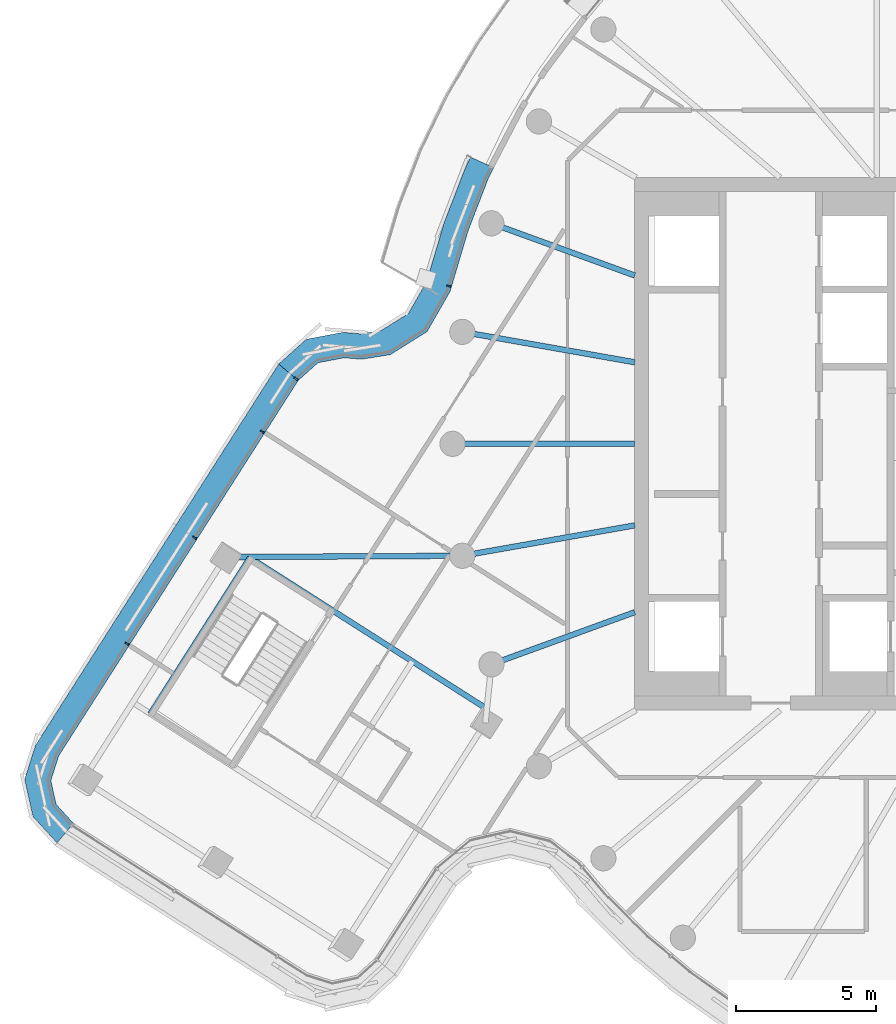
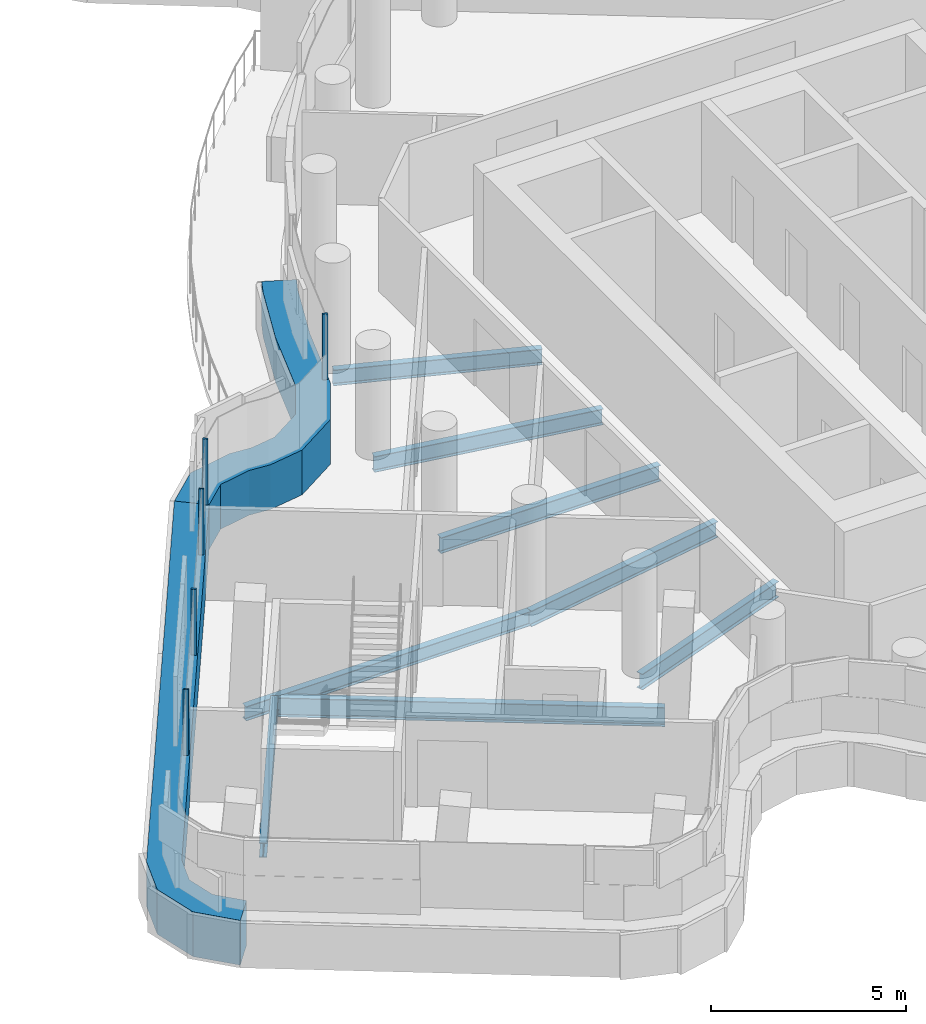
# One storey, part 4 of 27: 8 beams, 7 members, 2 elements without a shape of their own.
"""IFC4 building model written with IfcOpenShell, lengths in metres."""

from ifc_helpers import new_model, si_unit, direction, frame, origin, origin_2d, place, context, subcontext, project, spatial, polyline, rectangle, i_section, outline, extrude, material, layer, layer_set, material_profile, profile_set, type_object, element, aggregate, save


model = new_model("IFC4")

# Units and contexts
model_context = context("Model", 3, precision=1e-05, world=origin(), true_north=direction((0.0, 1.0)))
body_context = subcontext(model_context, "Body", "Model", "MODEL_VIEW")
ifc_project = project(units=[si_unit("LENGTHUNIT", "METRE"), si_unit("AREAUNIT", "SQUARE_METRE"), si_unit("VOLUMEUNIT", "CUBIC_METRE"), si_unit("PLANEANGLEUNIT", "RADIAN"), si_unit("MASSUNIT", "GRAM", prefix="KILO")], contexts=[model_context])

# Site, building, storey
site_placement = place(None, origin())
site = spatial("IfcSite", under=ifc_project, at=site_placement, CompositionType="ELEMENT")
building_placement = place(site_placement, origin())
building = spatial("IfcBuilding", under=site, at=building_placement, Name="Tamarind Cross Interchange Tower", CompositionType="ELEMENT")
storey_placement = place(building_placement, frame((0.0, 0.0, 241.5)))
storey = spatial("IfcBuildingStorey", under=building, at=storey_placement, Name="L61", CompositionType="ELEMENT", Elevation=241.5)

# Beams
ifc_material_1 = material(Name="Steel Q355B", Category="steel")
ifc_material_profile_1 = material_profile(ifc_material_1, i_section(OverallWidth=0.198974609375, OverallDepth=0.446044921875, WebThickness=0.008056640625, FlangeThickness=0.011962890625, FilletRadius=0.012939453125, at=origin_2d()), Name="HN 446x199x8x12")
ifc_profile_set_1 = profile_set([ifc_material_profile_1], Name="Steel Q355B")
beam_type_1 = type_object("IfcBeamType", Name="Composite beam HN 446x199x8x12 Q355B", PredefinedType="BEAM", material=ifc_profile_set_1)
beam_1_placement = place(storey_placement, frame((-31.100830078125, -4.039306640625, -0.363037109375), z_axis=(0.999985561134, 0.005373781185, 0.0), x_axis=(-0.005373781185, 0.999985561134, 0.0)))
element("IfcBeam", 1, at=beam_1_placement, inside=storey, type_object=beam_type_1, Name="Beam W-linkem", PredefinedType="BEAM", context=body_context, shape_type="SweptSolid", body=[
    extrude(i_section(OverallWidth=0.198974609375, OverallDepth=0.446044921875, WebThickness=0.008056640625, FlangeThickness=0.011962890625, FilletRadius=0.012939453125, at=origin_2d()), origin(), (0.0, 0.0, 1.0), 8.4501953125),
])
beam_2_placement = place(storey_placement, frame((-30.2265625, -4.063232421875, -0.363037109375), z_axis=(-0.537813428243, -0.843063886311, 0.0), x_axis=(0.843063886311, -0.537813428243, 0.0)))
element("IfcBeam", 2, at=beam_2_placement, inside=storey, type_object=beam_type_1, Name="Beam W-tr0", PredefinedType="BEAM", context=body_context, shape_type="SweptSolid", body=[
    extrude(i_section(OverallWidth=0.198974609375, OverallDepth=0.446044921875, WebThickness=0.008056640625, FlangeThickness=0.011962890625, FilletRadius=0.012939453125, at=origin_2d()), origin(), (0.0, 0.0, 1.0), 6.60009765625),
])
ifc_material_profile_2 = material_profile(ifc_material_1, i_section(OverallWidth=0.198974609375, OverallDepth=0.49609375, WebThickness=0.009033203125, FlangeThickness=0.013916015625, FilletRadius=0.012939453125, at=origin_2d()), Name="HN 496x199x9x14")
ifc_profile_set_2 = profile_set([ifc_material_profile_2], Name="Steel Q355B")
beam_type_2 = type_object("IfcBeamType", Name="Composite beam HN 496x199x9x14 Q355B", PredefinedType="BEAM", material=ifc_profile_set_2)
beam_3_placement = place(storey_placement, frame((-21.613037109375, 7.866455078125, -0.387939453125), z_axis=(0.939701685589, -0.341995236956, 0.0), x_axis=(0.341995236956, 0.939701685589, 0.0)))
element("IfcBeam", 3, at=beam_3_placement, inside=storey, type_object=beam_type_2, Name="Beam HH16", PredefinedType="BEAM", context=body_context, shape_type="SweptSolid", body=[
    extrude(i_section(OverallWidth=0.198974609375, OverallDepth=0.49609375, WebThickness=0.009033203125, FlangeThickness=0.013916015625, FilletRadius=0.012939453125, at=origin_2d()), origin(), (0.0, 0.0, 1.0), 5.441162109375),
])
beam_4_placement = place(storey_placement, frame((-22.650634765625, 3.993896484375, -0.387939453125), z_axis=(0.984809127561, -0.173640382036, 0.0), x_axis=(0.173640382036, 0.984809127561, 0.0)))
element("IfcBeam", 4, at=beam_4_placement, inside=storey, type_object=beam_type_2, Name="Beam HH17", PredefinedType="BEAM", context=body_context, shape_type="SweptSolid", body=[
    extrude(i_section(OverallWidth=0.198974609375, OverallDepth=0.49609375, WebThickness=0.009033203125, FlangeThickness=0.013916015625, FilletRadius=0.012939453125, at=origin_2d()), origin(), (0.0, 0.0, 1.0), 6.24560546875),
])
beam_5_placement = place(storey_placement, frame((-23.0, 0.0, -0.387939453125), z_axis=(1.0, 0.0, 0.0), x_axis=(0.0, 1.0, 0.0)))
element("IfcBeam", 5, at=beam_5_placement, inside=storey, type_object=beam_type_2, Name="Beam HH18", PredefinedType="BEAM", context=body_context, shape_type="SweptSolid", body=[
    extrude(i_section(OverallWidth=0.198974609375, OverallDepth=0.49609375, WebThickness=0.009033203125, FlangeThickness=0.013916015625, FilletRadius=0.012939453125, at=origin_2d()), origin(), (0.0, 0.0, 1.0), 6.5),
])
beam_6_placement = place(storey_placement, frame((-22.650634765625, -3.993896484375, -0.387939453125), z_axis=(0.984809127561, 0.173640382036, 0.0), x_axis=(-0.173640382036, 0.984809127561, 0.0)))
element("IfcBeam", 6, at=beam_6_placement, inside=storey, type_object=beam_type_2, Name="Beam HH19", PredefinedType="BEAM", context=body_context, shape_type="SweptSolid", body=[
    extrude(i_section(OverallWidth=0.198974609375, OverallDepth=0.49609375, WebThickness=0.009033203125, FlangeThickness=0.013916015625, FilletRadius=0.012939453125, at=origin_2d()), origin(), (0.0, 0.0, 1.0), 6.24560546875),
])
beam_7_placement = place(storey_placement, frame((-21.613037109375, -7.866455078125, -0.387939453125), z_axis=(0.939701685589, 0.341995236956, 0.0), x_axis=(-0.341995236956, 0.939701685589, 0.0)))
element("IfcBeam", 7, at=beam_7_placement, inside=storey, type_object=beam_type_2, Name="Beam HH20", PredefinedType="BEAM", context=body_context, shape_type="SweptSolid", body=[
    extrude(i_section(OverallWidth=0.198974609375, OverallDepth=0.49609375, WebThickness=0.009033203125, FlangeThickness=0.013916015625, FilletRadius=0.012939453125, at=origin_2d()), origin(), (0.0, 0.0, 1.0), 5.441162109375),
])
ifc_material_profile_3 = material_profile(ifc_material_1, i_section(OverallWidth=0.198974609375, OverallDepth=0.595947265625, WebThickness=0.010009765625, FlangeThickness=0.014892578125, FilletRadius=0.012939453125, at=origin_2d()), Name="HN 596x199x10x15")
ifc_profile_set_3 = profile_set([ifc_material_profile_3], Name="Steel Q355B")
beam_type_3 = type_object("IfcBeamType", Name="Composite beam HN 596x199x10x15 Q355B", PredefinedType="BEAM", material=ifc_profile_set_3)
beam_8_placement = place(storey_placement, frame((-30.27099609375, -4.034912109375, -0.43798828125), z_axis=(0.843056379405, -0.537825195713, 0.0), x_axis=(0.537825195713, 0.843056379405, 0.0)))
element("IfcBeam", 8, at=beam_8_placement, inside=storey, type_object=beam_type_3, Name="Beam W-x298", PredefinedType="BEAM", context=body_context, shape_type="SweptSolid", body=[
    extrude(i_section(OverallWidth=0.198974609375, OverallDepth=0.595947265625, WebThickness=0.010009765625, FlangeThickness=0.014892578125, FilletRadius=0.012939453125, at=origin_2d()), origin(), (0.0, 0.0, 1.0), 10.07666015625),
])

# Curtain wall, member
ifc_material_2 = material(Name="Aluminium 6063-T6", Category="aluminium")
ifc_layer = layer(ifc_material_2, 0.139892578125)
ifc_layer_set = layer_set([ifc_layer], Name="Aluminium 6063-T6")
curtain_wall_type = type_object("IfcCurtainWallType", Name="Hotel curtain wall, 4.5 m bays", PredefinedType="NOTDEFINED", material=ifc_layer_set)
curtain_wall_1_placement = place(storey_placement, origin())
curtain_wall_1 = element("IfcCurtainWall", 9, at=curtain_wall_1_placement, inside=storey, type_object=curtain_wall_type, Name="CWS-L61-06", PredefinedType="NOTDEFINED")
ifc_material_3 = material(Name="Aluminium and insulated spandrel panel", Category="aluminium")
member_type_1 = type_object("IfcMemberType", Name="Floor-edge blade transom", PredefinedType="USERDEFINED", material=ifc_material_3)
member_1_placement = place(storey_placement, origin())
member_1 = element("IfcMember", 10, at=member_1_placement, type_object=member_type_1, Name="CWT-L61-06-1", ObjectType="TRANSOM", PredefinedType="USERDEFINED", context=body_context, shape_type="SweptSolid", body=[
    extrude(outline(polyline([(-21.533935546875, 9.8525390625), (-21.74072265625, 9.425048828125), (-22.44482421875, 7.596923828125), (-23.090087890625, 5.427001953125), (-23.908935546875, 4.00244140625), (-25.220703125, 3.1806640625), (-26.255126953125, 3.017333984375), (-26.8662109375, 3.0693359375), (-27.79931640625, 2.892578125), (-28.50634765625, 2.258544921875), (-29.198974609375, 2.846435546875), (-28.21337890625, 3.730224609375), (-26.91259765625, 3.9765625), (-26.28759765625, 3.92333984375), (-25.542724609375, 4.041015625), (-24.5771484375, 4.645751953125), (-23.9228515625, 5.7841796875), (-23.297607421875, 7.887451171875), (-22.567138671875, 9.783203125), (-22.3525390625, 10.22705078125), (-21.533935546875, 9.8525390625)])), origin(), (0.0, 0.0, 1.0), 1.39990234375),
])

curtain_wall_2_placement = place(storey_placement, origin())
curtain_wall_2 = element("IfcCurtainWall", 11, at=curtain_wall_2_placement, inside=storey, type_object=curtain_wall_type, Name="CWS-L61-07", PredefinedType="NOTDEFINED")
member_2_placement = place(storey_placement, origin())
member_2 = element("IfcMember", 12, at=member_2_placement, type_object=member_type_1, Name="CWT-L61-07", ObjectType="TRANSOM", PredefinedType="USERDEFINED", context=body_context, shape_type="SweptSolid", body=[
    extrude(outline(polyline([(-28.50634765625, 2.258544921875), (-37.05224609375, -11.13720703125), (-37.328125, -12.010009765625), (-37.139404296875, -12.864013671875), (-36.521484375, -13.539306640625), (-37.10546875, -14.234375), (-37.966064453125, -13.293701171875), (-38.259033203125, -11.968994140625), (-37.874755859375, -10.753173828125), (-29.198974609375, 2.846435546875), (-28.50634765625, 2.258544921875)])), origin(), (0.0, 0.0, 1.0), 1.39990234375),
])

# Member
ifc_material_profile_4 = material_profile(ifc_material_2, rectangle(XDim=0.06005859375, YDim=0.139892578125, at=origin_2d()), Name="Mullion CW2")
ifc_profile_set_4 = profile_set([ifc_material_profile_4], Name="Aluminium 6063-T6")
member_type_2 = type_object("IfcMemberType", Name="Mullion CW2", PredefinedType="MULLION", material=ifc_profile_set_4)
member_3_placement = place(storey_placement, frame((-23.1337890625, 5.630859375, 1.39990234375), z_axis=(0.0, 0.0, 1.0), x_axis=(-0.284974746504, -0.958535024845, 0.0)))
member_3 = element("IfcMember", 13, at=member_3_placement, type_object=member_type_2, Name="CWM-L61-06-04", PredefinedType="MULLION", context=body_context, shape_type="SweptSolid", body=[
    extrude(rectangle(XDim=0.06005859375, YDim=0.139892578125, at=origin_2d()), origin(), (0.0, 0.0, 1.0), 2.06005859375),
])

aggregate(curtain_wall_1, [member_3, member_1])

member_4_placement = place(storey_placement, frame((-28.583251953125, 2.323974609375, 1.39990234375), z_axis=(0.0, 0.0, 1.0), x_axis=(-0.647146655596, -0.76236553316, 0.0)))
member_4 = element("IfcMember", 14, at=member_4_placement, type_object=member_type_2, Name="CWM-L61-07-00", PredefinedType="MULLION", context=body_context, shape_type="SweptSolid", body=[
    extrude(rectangle(XDim=0.06005859375, YDim=0.139892578125, at=origin_2d()), origin(), (0.0, 0.0, 1.0), 2.06005859375),
])

member_5_placement = place(storey_placement, frame((-29.787109375, 0.43701171875, 1.39990234375), z_axis=(0.0, 0.0, 1.0), x_axis=(-0.537829420727, -0.843053684056, 0.0)))
member_5 = element("IfcMember", 15, at=member_5_placement, type_object=member_type_2, Name="CWM-L61-07-01", PredefinedType="MULLION", context=body_context, shape_type="SweptSolid", body=[
    extrude(rectangle(XDim=0.06005859375, YDim=0.139892578125, at=origin_2d()), origin(), (0.0, 0.0, 1.0), 2.06005859375),
])

member_6_placement = place(storey_placement, frame((-32.19921875, -3.343994140625, 1.39990234375), z_axis=(0.0, 0.0, 1.0), x_axis=(-0.537829420727, -0.843053684056, 0.0)))
member_6 = element("IfcMember", 16, at=member_6_placement, type_object=member_type_2, Name="CWM-L61-07-02", PredefinedType="MULLION", context=body_context, shape_type="SweptSolid", body=[
    extrude(rectangle(XDim=0.06005859375, YDim=0.139892578125, at=origin_2d()), origin(), (0.0, 0.0, 1.0), 2.06005859375),
])

member_7_placement = place(storey_placement, frame((-34.611328125, -7.125, 1.39990234375), z_axis=(0.0, 0.0, 1.0), x_axis=(-0.537829420727, -0.843053684056, 0.0)))
member_7 = element("IfcMember", 17, at=member_7_placement, type_object=member_type_2, Name="CWM-L61-07-03", PredefinedType="MULLION", context=body_context, shape_type="SweptSolid", body=[
    extrude(rectangle(XDim=0.06005859375, YDim=0.139892578125, at=origin_2d()), origin(), (0.0, 0.0, 1.0), 2.06005859375),
])

aggregate(curtain_wall_2, [member_4, member_5, member_6, member_7, member_2])

save(model, "model.ifc")
